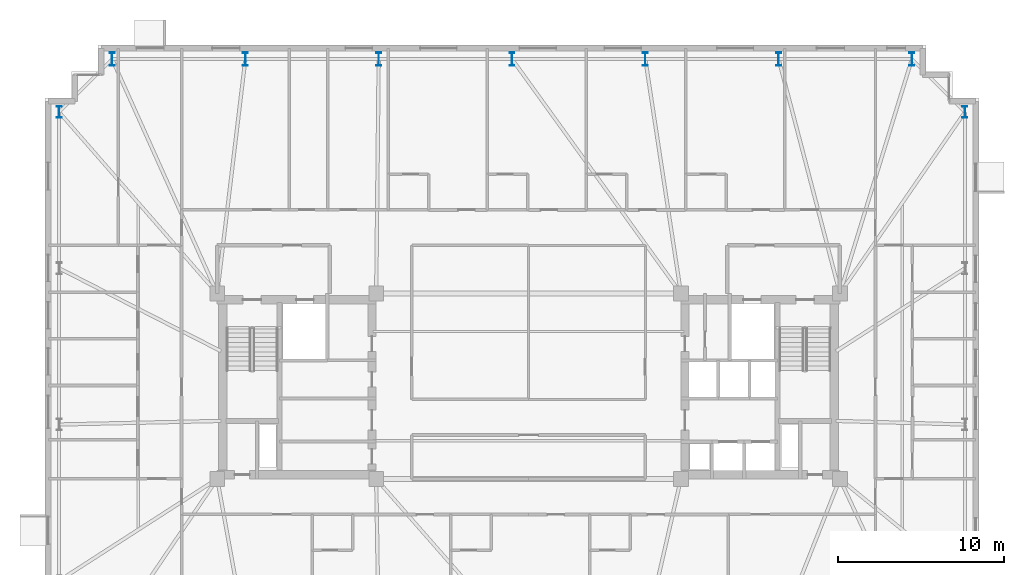
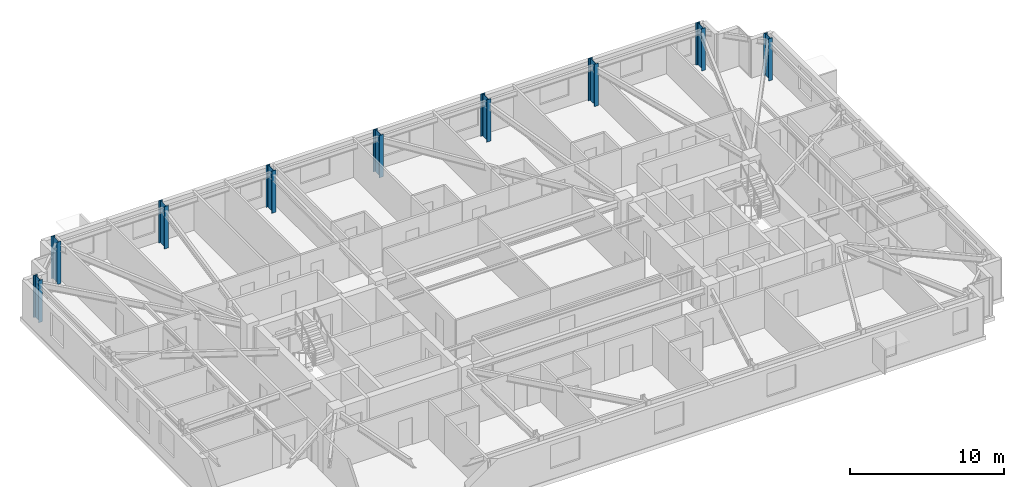
# One storey, part 2 of 18: 9 columns.
"""IFC4 building model written with IfcOpenShell, lengths in metres."""

from ifc_helpers import new_model, si_unit, direction, frame, origin, origin_2d, place, context, subcontext, project, spatial, i_section, extrude, material, material_profile, profile_set, type_object, element, save


model = new_model("IFC4")

# Units and contexts
model_context = context("Model", 3, precision=1e-05, world=origin(), true_north=direction((0.0, 1.0)))
body_context = subcontext(model_context, "Body", "Model", "MODEL_VIEW")
ifc_project = project(units=[si_unit("LENGTHUNIT", "METRE"), si_unit("AREAUNIT", "SQUARE_METRE"), si_unit("VOLUMEUNIT", "CUBIC_METRE"), si_unit("PLANEANGLEUNIT", "RADIAN"), si_unit("MASSUNIT", "GRAM", prefix="KILO")], contexts=[model_context])

# Site, building, storey
site_placement = place(None, origin())
site = spatial("IfcSite", under=ifc_project, at=site_placement, CompositionType="ELEMENT")
building_placement = place(site_placement, origin())
building = spatial("IfcBuilding", under=site, at=building_placement, Name="Qobustan Lattice House", CompositionType="ELEMENT")
storey_placement = place(building_placement, frame((0.0, 0.0, 141.050048828125)))
storey = spatial("IfcBuildingStorey", under=building, at=storey_placement, Name="L39", CompositionType="ELEMENT", Elevation=141.050048828125)

# Columns
ifc_material_1 = material(Name="Steel S355", Category="steel")
ifc_material_profile_1 = material_profile(ifc_material_1, i_section(OverallWidth=0.300048828125, OverallDepth=0.699951171875, WebThickness=0.01708984375, FlangeThickness=0.031982421875, FilletRadius=0.027099609375, at=origin_2d()), Name="HEB700")
ifc_profile_set_1 = profile_set([ifc_material_profile_1], Name="Steel S355")
column_type_1 = type_object("IfcColumnType", Name="COL-ST-HEB700", PredefinedType="COLUMN", material=ifc_profile_set_1)
for number, where, z_axis, x_axis, name in (
    (1, (26.35009765625, 16.550048828125, 0.0), (0.0, 0.0, 1.0), (1.0, 0.0, 0.0), "L39 B3 perimeter column E4"),
    (2, (-28.35009765625, 16.550048828125, 0.0), (0.0, 0.0, 1.0), (1.0, 0.0, 0.0), "L39 B3 perimeter column W1"),
):
    element("IfcColumn", number, at=place(storey_placement, frame(where, z_axis=z_axis, x_axis=x_axis)), inside=storey, type_object=column_type_1, Name=name, PredefinedType="COLUMN", context=body_context, shape_type="SweptSolid", body=[
        extrude(i_section(OverallWidth=0.300048828125, OverallDepth=0.699951171875, WebThickness=0.01708984375, FlangeThickness=0.031982421875, FilletRadius=0.027099609375, at=origin_2d()), origin(), (0.0, 0.0, 1.0), 3.349853515625),
    ])
ifc_material_2 = material(Name="Steel S355", Category="steel")
ifc_material_profile_2 = material_profile(ifc_material_2, i_section(OverallWidth=0.300048828125, OverallDepth=0.800048828125, WebThickness=0.017578125, FlangeThickness=0.032958984375, FilletRadius=0.030029296875, at=origin_2d()), Name="HEB800")
ifc_profile_set_2 = profile_set([ifc_material_profile_2], Name="Steel S355")
column_type_2 = type_object("IfcColumnType", Name="COL-ST-HEB800", PredefinedType="COLUMN", material=ifc_profile_set_2)
for number, where, z_axis, x_axis, name in (
    (3, (23.14990234375, 19.75, 0.0), (0.0, 0.0, 1.0), (1.0, 0.0, 0.0), "L39 B3 perimeter column N1"),
    (4, (15.10009765625, 19.75, 0.0), (0.0, 0.0, 1.0), (1.0, 0.0, 0.0), "L39 B3 perimeter column N2"),
    (5, (7.050048828125, 19.75, 0.0), (0.0, 0.0, 1.0), (1.0, 0.0, 0.0), "L39 B3 perimeter column N3"),
    (6, (-1.0, 19.75, 0.0), (0.0, 0.0, 1.0), (1.0, 0.0, 0.0), "L39 B3 perimeter column N4"),
    (7, (-9.050048828125, 19.75, 0.0), (0.0, 0.0, 1.0), (1.0, 0.0, 0.0), "L39 B3 perimeter column N5"),
    (8, (-17.10009765625, 19.75, 0.0), (0.0, 0.0, 1.0), (1.0, 0.0, 0.0), "L39 B3 perimeter column N6"),
    (9, (-25.14990234375, 19.75, 0.0), (0.0, 0.0, 1.0), (1.0, 0.0, 0.0), "L39 B3 perimeter column N7"),
):
    element("IfcColumn", number, at=place(storey_placement, frame(where, z_axis=z_axis, x_axis=x_axis)), inside=storey, type_object=column_type_2, Name=name, PredefinedType="COLUMN", context=body_context, shape_type="SweptSolid", body=[
        extrude(i_section(OverallWidth=0.300048828125, OverallDepth=0.800048828125, WebThickness=0.017578125, FlangeThickness=0.032958984375, FilletRadius=0.030029296875, at=origin_2d()), origin(), (0.0, 0.0, 1.0), 3.349853515625),
    ])

save(model, "model.ifc")
